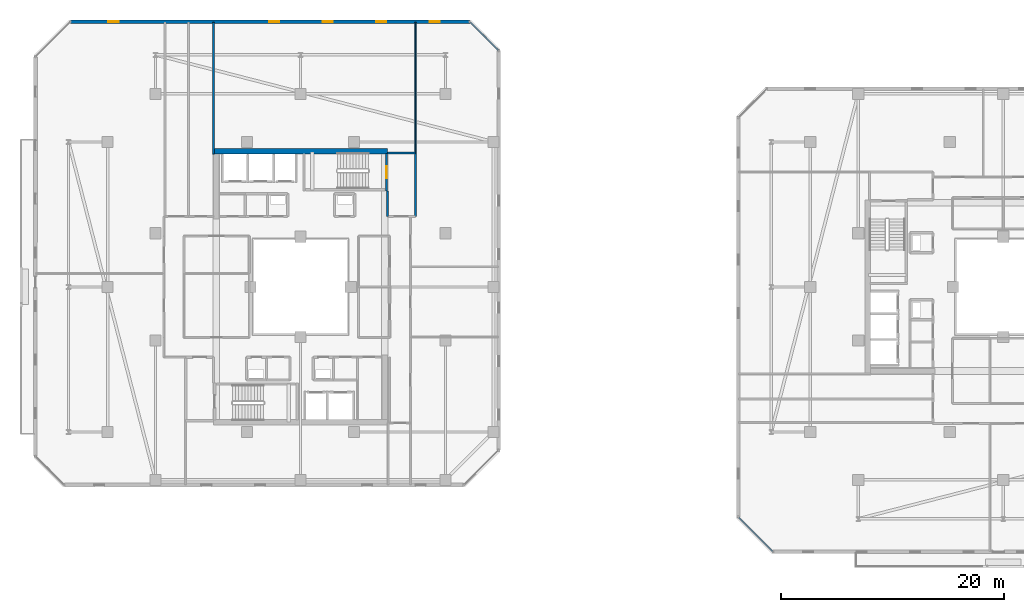
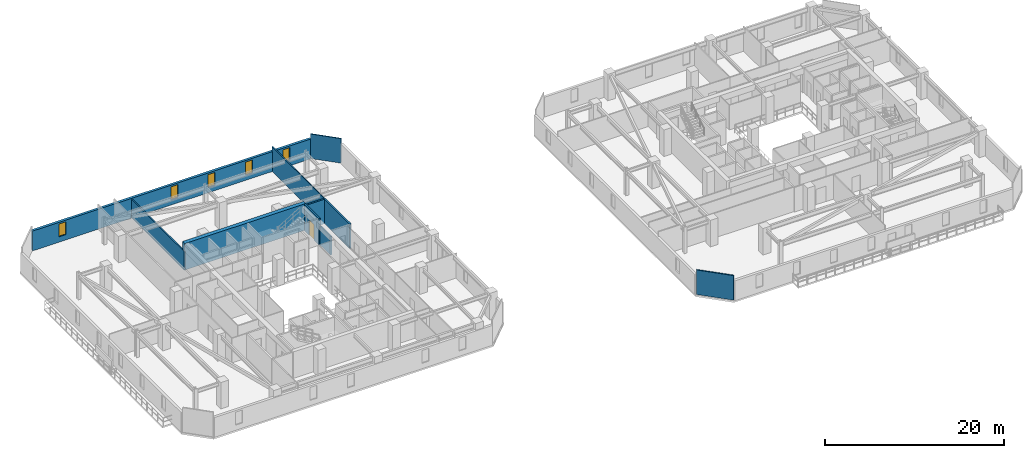
# One storey, part 22 of 33: 10 walls, 5 windows, 1 door, 6 openings.
"""IFC4 building model written with IfcOpenShell, lengths in metres."""

from ifc_helpers import new_model, si_unit, direction, frame, frame_2d, origin, place, context, subcontext, project, spatial, rectangle, extrude, material, layer, layer_set, type_object, element, fill, save


model = new_model("IFC4")

# Units and contexts
model_context = context("Model", 3, precision=1e-05, world=origin(), true_north=direction((0.0, 1.0)))
body_context = subcontext(model_context, "Body", "Model", "MODEL_VIEW")
ifc_project = project(units=[si_unit("LENGTHUNIT", "METRE"), si_unit("AREAUNIT", "SQUARE_METRE"), si_unit("VOLUMEUNIT", "CUBIC_METRE"), si_unit("PLANEANGLEUNIT", "RADIAN"), si_unit("MASSUNIT", "GRAM", prefix="KILO")], contexts=[model_context])

# Site, building, storey
site_placement = place(None, origin())
site = spatial("IfcSite", under=ifc_project, at=site_placement, CompositionType="ELEMENT")
building_placement = place(site_placement, origin())
building = spatial("IfcBuilding", under=site, at=building_placement, Name="Thornwick Lancets Civic Towers", CompositionType="ELEMENT")
storey_placement = place(building_placement, frame((0.0, 0.0, 214.5)))
storey = spatial("IfcBuildingStorey", under=building, at=storey_placement, Name="L57", CompositionType="ELEMENT", Elevation=214.5)

# Walls
ifc_material_1 = material(Name="Concrete blockwork C40/50", Category="masonry")
ifc_layer_1 = layer(ifc_material_1, 0.199951171875, Name="Concrete blockwork C40/50")
ifc_layer_set_1 = layer_set([ifc_layer_1], Name="Concrete blockwork C40/50")
wall_type_1 = type_object("IfcWallType", Name="WALL_COMP_200", PredefinedType="STANDARD", material=ifc_layer_set_1)
wall_1_placement = place(storey_placement, frame((35.800048828125, 33.300048828125, 0.0), z_axis=(0.0, 0.0, 1.0), x_axis=(0.0, 1.0, 0.0)))
element("IfcWall", 1, at=wall_1_placement, inside=storey, type_object=wall_type_1, Name="L57 Partition L57-A-FFLOB2 E2", PredefinedType="STANDARD", context=body_context, shape_type="SweptSolid", body=[
    extrude(rectangle(XDim=5.699951171875, YDim=0.199951171875, at=frame_2d((2.85009765625, 0.0))), origin(), (0.0, 0.0, 1.0), 3.340087890625),
])
wall_2_placement = place(storey_placement, frame((35.800048828125, 39.0, 0.0), z_axis=(0.0, 0.0, 1.0), x_axis=(-1.0, 0.0, 0.0)))
element("IfcWall", 2, at=wall_2_placement, inside=storey, type_object=wall_type_1, Name="L57 Partition L57-A-FFLOB2 E3", PredefinedType="STANDARD", context=body_context, shape_type="SweptSolid", body=[
    extrude(rectangle(XDim=2.5, YDim=0.199951171875, at=frame_2d((1.25, 0.0))), origin(), (0.0, 0.0, 1.0), 3.340087890625),
])
wall_3_placement = place(storey_placement, frame((33.300048828125, 35.60009765625, 0.0), z_axis=(0.0, 0.0, 1.0), x_axis=(0.0, -1.0, 0.0)))
element("IfcWall", 3, at=wall_3_placement, inside=storey, type_object=wall_type_1, Name="L57 Partition L57-A-FFLOB2 E4", PredefinedType="STANDARD", context=body_context, shape_type="SweptSolid", body=[
    extrude(rectangle(XDim=2.300048828125, YDim=0.199951171875, at=frame_2d((1.14990234375, 0.0))), origin(), (0.0, 0.0, 1.0), 2.544921875),
])
ifc_material_2 = material(Name="Concrete C50/60", Category="concrete")
ifc_layer_2 = layer(ifc_material_2, 0.5, Name="Concrete C50/60")
ifc_layer_set_2 = layer_set([ifc_layer_2], Name="Concrete C50/60")
wall_type_2 = type_object("IfcWallType", Name="WALL_CORE_500", PredefinedType="SHEAR", material=ifc_layer_set_2)
wall_4_placement = place(storey_placement, frame((17.699951171875, 39.14990234375, 0.0), z_axis=(0.0, 0.0, 1.0), x_axis=(1.0, 0.0, 0.0)))
element("IfcWall", 4, at=wall_4_placement, inside=storey, type_object=wall_type_2, Name="L57 Split Core A2 Shear Wall N", PredefinedType="SHEAR", context=body_context, shape_type="SweptSolid", body=[
    extrude(rectangle(XDim=15.60009765625, YDim=0.5, at=frame_2d((7.800048828125, 0.0))), origin(), (0.0, 0.0, 1.0), 3.60009765625),
])

# Wall, openings, windows
ifc_material_3 = material(Name="Insulated buff terracotta rainscreen on concrete C40/50", Category="masonry")
ifc_layer_3 = layer(ifc_material_3, 0.320068359375, Name="Insulated buff terracotta rainscreen on concrete C40/50")
ifc_layer_set_3 = layer_set([ifc_layer_3], Name="Insulated buff terracotta rainscreen on concrete C40/50")
wall_type_3 = type_object("IfcWallType", Name="WALL_EXT_TERRA_320", PredefinedType="STANDARD", material=ifc_layer_set_3)
wall_5_placement = place(storey_placement, frame((40.681396484375, 50.7646484375, 0.0), z_axis=(0.0, 0.0, 1.0), x_axis=(-0.999999998513, -5.4540124e-05, 0.0)))
wall_5 = element("IfcWall", 5, at=wall_5_placement, inside=storey, type_object=wall_type_3, Name="L57 Tower A Terracotta Facade Wall E4", PredefinedType="STANDARD", context=body_context, shape_type="SweptSolid", body=[
    extrude(rectangle(XDim=35.810791015625, YDim=0.320068359375, at=frame_2d((17.9052734375, 0.0))), origin(), (0.0, 0.0, 1.0), 2.699951171875),
])
opening_1_placement = place(wall_5_placement, frame((2.699951171875, 0.0, 0.719970703125)))
opening_1 = element("IfcOpeningElement", 6, at=opening_1_placement, cuts=wall_5, Name="Opening WL-01", PredefinedType="OPENING", context=body_context, shape_type="SweptSolid", body=[
    extrude(rectangle(XDim=0.89990234375, YDim=1.75, at=frame_2d((0.449951171875, 0.875))), frame((0.0, 0.169921875, 0.0), z_axis=(0.0, -1.0, 0.0), x_axis=(1.0, 0.0, 0.0)), (0.0, 0.0, 1.0), 0.340087890625),
])
opening_2_placement = place(wall_5_placement, frame((7.5, 0.0, 0.719970703125)))
opening_2 = element("IfcOpeningElement", 7, at=opening_2_placement, cuts=wall_5, Name="Opening WL-01", PredefinedType="OPENING", context=body_context, shape_type="SweptSolid", body=[
    extrude(rectangle(XDim=0.89990234375, YDim=1.75, at=frame_2d((0.449951171875, 0.875))), frame((0.0, 0.169921875, 0.0), z_axis=(0.0, -1.0, 0.0), x_axis=(1.0, 0.0, 0.0)), (0.0, 0.0, 1.0), 0.340087890625),
])
opening_3_placement = place(wall_5_placement, frame((12.300048828125, 0.0, 0.719970703125)))
opening_3 = element("IfcOpeningElement", 8, at=opening_3_placement, cuts=wall_5, Name="Opening WL-01", PredefinedType="OPENING", context=body_context, shape_type="SweptSolid", body=[
    extrude(rectangle(XDim=0.89990234375, YDim=1.75, at=frame_2d((0.449951171875, 0.875))), frame((0.0, 0.169921875, 0.0), z_axis=(0.0, -1.0, 0.0), x_axis=(1.0, 0.0, 0.0)), (0.0, 0.0, 1.0), 0.340087890625),
])
opening_4_placement = place(wall_5_placement, frame((17.10009765625, 0.0, 0.719970703125)))
opening_4 = element("IfcOpeningElement", 9, at=opening_4_placement, cuts=wall_5, Name="Opening WL-01", PredefinedType="OPENING", context=body_context, shape_type="SweptSolid", body=[
    extrude(rectangle(XDim=0.89990234375, YDim=1.75, at=frame_2d((0.449951171875, 0.875))), frame((0.0, 0.169921875, 0.0), z_axis=(0.0, -1.0, 0.0), x_axis=(1.0, 0.0, 0.0)), (0.0, 0.0, 1.0), 0.340087890625),
])
opening_5_placement = place(wall_5_placement, frame((31.5, 0.0, 0.719970703125)))
opening_5 = element("IfcOpeningElement", 10, at=opening_5_placement, cuts=wall_5, Name="Opening WL-01", PredefinedType="OPENING", context=body_context, shape_type="SweptSolid", body=[
    extrude(rectangle(XDim=0.89990234375, YDim=1.75, at=frame_2d((0.449951171875, 0.875))), frame((0.0, 0.169921875, 0.0), z_axis=(0.0, -1.0, 0.0), x_axis=(1.0, 0.0, 0.0)), (0.0, 0.0, 1.0), 0.340087890625),
])
ifc_material_4 = material(Name="Clear low-e double glazing in bronze frame", Category="glass")
window_type = type_object("IfcWindowType", Name="WIN_LANCET_900", PartitioningType="SINGLE_PANEL", PredefinedType="WINDOW", material=ifc_material_4)
window_1_placement = place(opening_1_placement, origin())
window_1 = element("IfcWindow", 11, at=window_1_placement, inside=storey, type_object=window_type, Name="L57 Tower A Staggered Lancet Window E4-1", OverallHeight=1.75, OverallWidth=0.89990234375, PartitioningType="SINGLE_PANEL", PredefinedType="WINDOW", context=body_context, shape_type="SweptSolid", body=[
    extrude(rectangle(XDim=0.89990234375, YDim=1.75, at=frame_2d((0.449951171875, 0.875))), frame((0.0, 0.030029296875, 0.0), z_axis=(0.0, -1.0, 0.0), x_axis=(1.0, 0.0, 0.0)), (0.0, 0.0, 1.0), 0.06005859375),
])
fill(opening_1, window_1)
window_2_placement = place(opening_2_placement, origin())
window_2 = element("IfcWindow", 12, at=window_2_placement, inside=storey, type_object=window_type, Name="L57 Tower A Staggered Lancet Window E4-2", OverallHeight=1.75, OverallWidth=0.89990234375, PartitioningType="SINGLE_PANEL", PredefinedType="WINDOW", context=body_context, shape_type="SweptSolid", body=[
    extrude(rectangle(XDim=0.89990234375, YDim=1.75, at=frame_2d((0.449951171875, 0.875))), frame((0.0, 0.030029296875, 0.0), z_axis=(0.0, -1.0, 0.0), x_axis=(1.0, 0.0, 0.0)), (0.0, 0.0, 1.0), 0.06005859375),
])
fill(opening_2, window_2)
window_3_placement = place(opening_3_placement, origin())
window_3 = element("IfcWindow", 13, at=window_3_placement, inside=storey, type_object=window_type, Name="L57 Tower A Staggered Lancet Window E4-3", OverallHeight=1.75, OverallWidth=0.89990234375, PartitioningType="SINGLE_PANEL", PredefinedType="WINDOW", context=body_context, shape_type="SweptSolid", body=[
    extrude(rectangle(XDim=0.89990234375, YDim=1.75, at=frame_2d((0.449951171875, 0.875))), frame((0.0, 0.030029296875, 0.0), z_axis=(0.0, -1.0, 0.0), x_axis=(1.0, 0.0, 0.0)), (0.0, 0.0, 1.0), 0.06005859375),
])
fill(opening_3, window_3)
window_4_placement = place(opening_4_placement, origin())
window_4 = element("IfcWindow", 14, at=window_4_placement, inside=storey, type_object=window_type, Name="L57 Tower A Staggered Lancet Window E4-4", OverallHeight=1.75, OverallWidth=0.89990234375, PartitioningType="SINGLE_PANEL", PredefinedType="WINDOW", context=body_context, shape_type="SweptSolid", body=[
    extrude(rectangle(XDim=0.89990234375, YDim=1.75, at=frame_2d((0.449951171875, 0.875))), frame((0.0, 0.030029296875, 0.0), z_axis=(0.0, -1.0, 0.0), x_axis=(1.0, 0.0, 0.0)), (0.0, 0.0, 1.0), 0.06005859375),
])
fill(opening_4, window_4)
window_5_placement = place(opening_5_placement, origin())
window_5 = element("IfcWindow", 15, at=window_5_placement, inside=storey, type_object=window_type, Name="L57 Tower A Staggered Lancet Window E4-5", OverallHeight=1.75, OverallWidth=0.89990234375, PartitioningType="SINGLE_PANEL", PredefinedType="WINDOW", context=body_context, shape_type="SweptSolid", body=[
    extrude(rectangle(XDim=0.89990234375, YDim=1.75, at=frame_2d((0.449951171875, 0.875))), frame((0.0, 0.030029296875, 0.0), z_axis=(0.0, -1.0, 0.0), x_axis=(1.0, 0.0, 0.0)), (0.0, 0.0, 1.0), 0.06005859375),
])
fill(opening_5, window_5)

# Walls
ifc_material_5 = material(Name="Acoustic gypsum board partition")
ifc_layer_4 = layer(ifc_material_5, 0.1201171875, Name="Acoustic gypsum board partition")
ifc_layer_set_4 = layer_set([ifc_layer_4], Name="Acoustic gypsum board partition")
wall_type_4 = type_object("IfcWallType", Name="WALL_PART_120", PredefinedType="PARTITIONING", material=ifc_layer_set_4)
wall_6_placement = place(storey_placement, frame((35.800048828125, 39.0, 0.0), z_axis=(0.0, 0.0, 1.0), x_axis=(0.0, 1.0, 0.0)))
element("IfcWall", 16, at=wall_6_placement, inside=storey, type_object=wall_type_4, Name="L57 Partition L57-A-E3 E3", PredefinedType="PARTITIONING", context=body_context, shape_type="SweptSolid", body=[
    extrude(rectangle(XDim=11.719970703125, YDim=0.1201171875, at=frame_2d((5.85986328125, 0.0))), origin(), (0.0, 0.0, 1.0), 3.340087890625),
])
wall_7_placement = place(storey_placement, frame((40.725341796875, 50.719970703125, 0.0), z_axis=(0.0, 0.0, 1.0), x_axis=(0.707106781187, -0.707106781187, 0.0)))
element("IfcWall", 17, at=wall_7_placement, inside=storey, type_object=wall_type_4, Name="L57 Partition L57-A-E3 E5", PredefinedType="PARTITIONING", context=body_context, shape_type="SweptSolid", body=[
    extrude(rectangle(XDim=3.52783203125, YDim=0.1201171875, at=frame_2d((1.763916015625, 0.0))), origin(), (0.0, 0.0, 1.0), 3.340087890625),
])
ifc_material_6 = material(Name="Twin-stud acoustic gypsum board")
ifc_layer_5 = layer(ifc_material_6, 0.14990234375, Name="Twin-stud acoustic gypsum board")
ifc_layer_set_5 = layer_set([ifc_layer_5], Name="Twin-stud acoustic gypsum board")
wall_type_5 = type_object("IfcWallType", Name="WALL_PART_150", PredefinedType="PARTITIONING", material=ifc_layer_set_5)
wall_8_placement = place(storey_placement, frame((17.699951171875, 50.719970703125, 0.0), z_axis=(0.0, 0.0, 1.0), x_axis=(0.0, -1.0, 0.0)))
element("IfcWall", 18, at=wall_8_placement, inside=storey, type_object=wall_type_5, Name="L57 Partition L57-A-RECLAIM-M2 E3", PredefinedType="PARTITIONING", context=body_context, shape_type="SweptSolid", body=[
    extrude(rectangle(XDim=11.820068359375, YDim=0.14990234375, at=frame_2d((5.91015625, 0.0))), origin(), (0.0, 0.0, 1.0), 2.544921875),
])
wall_9_placement = place(storey_placement, frame((67.82861328125, 3.280029296875, 0.0), z_axis=(0.0, 0.0, 1.0), x_axis=(-0.707106781187, 0.707106781187, 0.0)))
element("IfcWall", 19, at=wall_9_placement, inside=storey, type_object=wall_type_5, Name="L57 Partition L57-B-W2 E2", PredefinedType="PARTITIONING", context=body_context, shape_type="SweptSolid", body=[
    extrude(rectangle(XDim=4.311279296875, YDim=0.14990234375, at=frame_2d((2.15576171875, 0.0))), origin(), (0.0, 0.0, 1.0), 3.340087890625),
])

# Wall, opening, door
ifc_material_7 = material(Name="Concrete C40/50", Category="concrete")
ifc_layer_6 = layer(ifc_material_7, 0.199951171875, Name="Concrete C40/50")
ifc_layer_set_6 = layer_set([ifc_layer_6], Name="Concrete C40/50")
wall_type_6 = type_object("IfcWallType", Name="WALL_SHAFT_200", PredefinedType="SHEAR", material=ifc_layer_set_6)
wall_10_placement = place(storey_placement, frame((33.199951171875, 38.949951171875, 0.0), z_axis=(0.0, 0.0, 1.0), x_axis=(0.0, -1.0, 0.0)))
wall_10 = element("IfcWall", 20, at=wall_10_placement, inside=storey, type_object=wall_type_6, Name="L57 ST-A2 Fire Stair Core Wall NEAR", PredefinedType="SHEAR", context=body_context, shape_type="SweptSolid", body=[
    extrude(rectangle(XDim=3.349853515625, YDim=0.199951171875, at=frame_2d((1.6748046875, 0.0))), origin(), (0.0, 0.0, 1.0), 3.60009765625),
])
opening_6_placement = place(wall_10_placement, frame((1.125, 0.0, 0.0)))
opening_6 = element("IfcOpeningElement", 21, at=opening_6_placement, cuts=wall_10, Name="Opening D-ST-A2-L57", PredefinedType="OPENING", context=body_context, shape_type="SweptSolid", body=[
    extrude(rectangle(XDim=1.10009765625, YDim=2.10009765625, at=frame_2d((0.550048828125, 1.050048828125))), frame((0.0, 0.10986328125, 0.0), z_axis=(0.0, -1.0, 0.0), x_axis=(1.0, 0.0, 0.0)), (0.0, 0.0, 1.0), 0.219970703125),
])
ifc_material_8 = material(Name="Fire-resisting steel and hardwood", Category="steel")
door_type = type_object("IfcDoorType", Name="DOOR_STAIR_FD60", OperationType="NOTDEFINED", PredefinedType="DOOR", material=ifc_material_8)
door_placement = place(opening_6_placement, origin())
door = element("IfcDoor", 22, at=door_placement, inside=storey, type_object=door_type, Name="L57 ST-A2 Exit Stair Door", OperationType="SINGLE_SWING_LEFT", OverallHeight=2.10009765625, OverallWidth=1.10009765625, PredefinedType="DOOR", context=body_context, shape_type="SweptSolid", body=[
    extrude(rectangle(XDim=1.10009765625, YDim=2.10009765625, at=frame_2d((0.550048828125, 1.050048828125))), frame((0.0, 0.02490234375, 0.0), z_axis=(0.0, -1.0, 0.0), x_axis=(1.0, 0.0, 0.0)), (0.0, 0.0, 1.0), 0.050048828125),
])
fill(opening_6, door)

save(model, "model.ifc")
